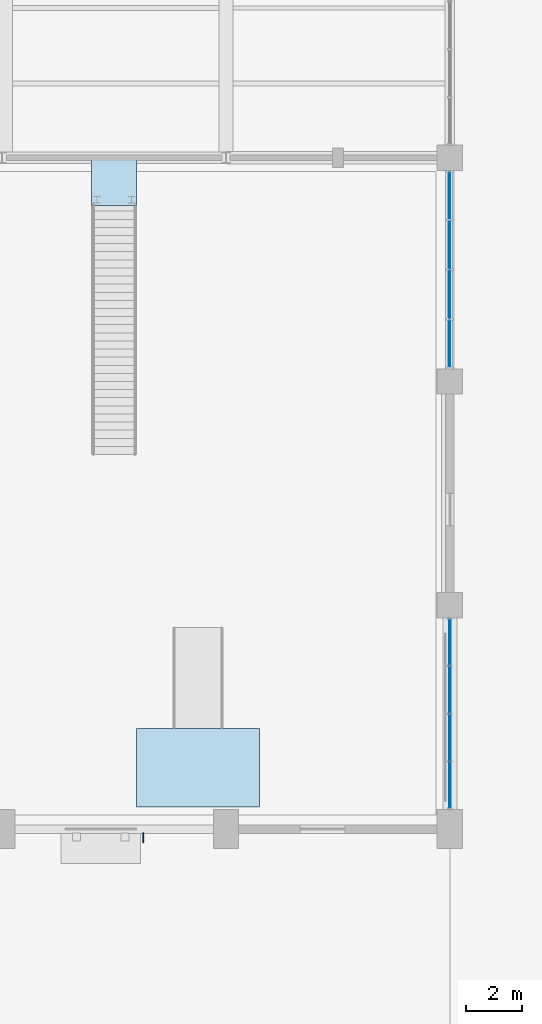
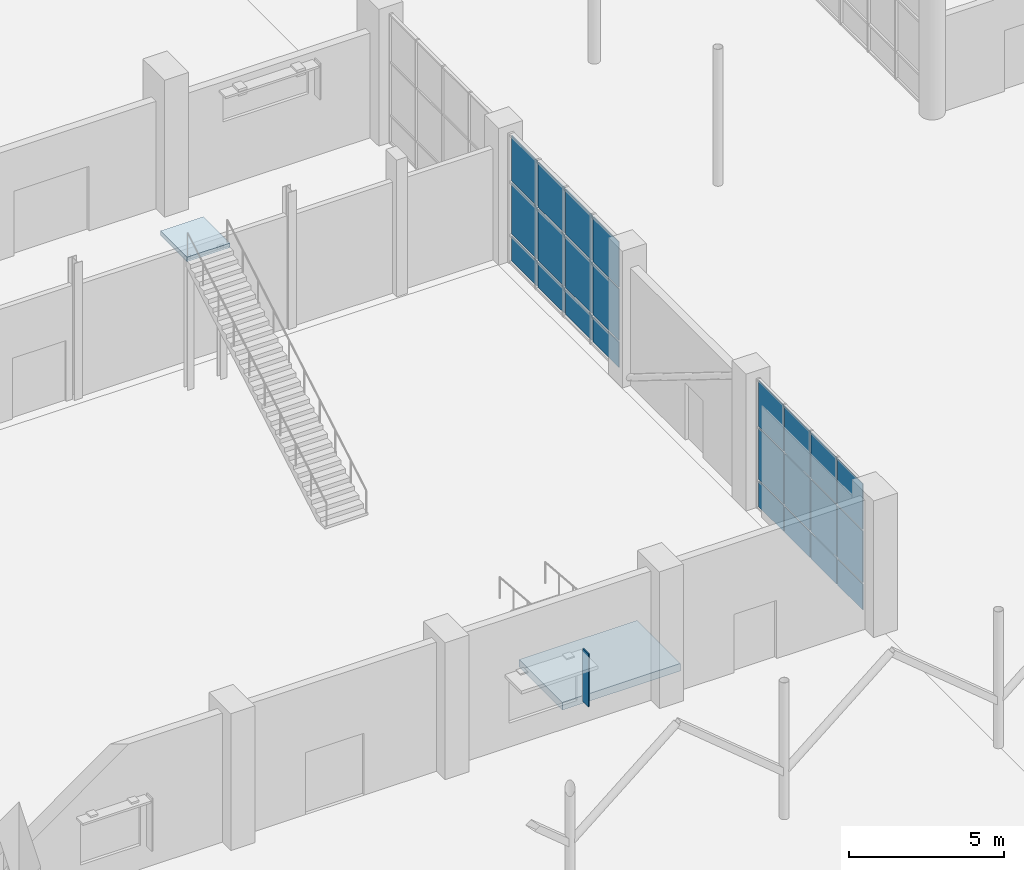
# One storey, part 67 of 123: 25 plates, 2 slabs, 3 elements without a shape of their own.
"""IFC4 building model written with IfcOpenShell, lengths in metres."""

from ifc_helpers import new_model, si_unit, direction, frame, origin, origin_2d, place, context, subcontext, project, spatial, polyline, rectangle, outline, extrude, material, layer, layer_set, type_object, element, aggregate, save


model = new_model("IFC4")

# Units and contexts
model_context = context("Model", 3, precision=1e-05, world=origin(), true_north=direction((0.0, 1.0)))
body_context = subcontext(model_context, "Body", "Model", "MODEL_VIEW")
ifc_project = project(units=[si_unit("LENGTHUNIT", "METRE"), si_unit("AREAUNIT", "SQUARE_METRE"), si_unit("VOLUMEUNIT", "CUBIC_METRE"), si_unit("PLANEANGLEUNIT", "RADIAN"), si_unit("MASSUNIT", "GRAM", prefix="KILO")], contexts=[model_context])

# Site, building, storey
site_placement = place(None, origin())
site = spatial("IfcSite", under=ifc_project, at=site_placement, CompositionType="ELEMENT")
building_placement = place(site_placement, origin())
building = spatial("IfcBuilding", under=site, at=building_placement, Name="Tenunan Teduh Sports Hall", CompositionType="ELEMENT")
storey_placement = place(building_placement, origin())
storey = spatial("IfcBuildingStorey", under=building, at=storey_placement, Name="L00", CompositionType="ELEMENT", Elevation=0.0)

# Curtain wall, plates
ifc_material_1 = material(Name="Anodised aluminium", Category="aluminium")
curtain_wall_type = type_object("IfcCurtainWallType", Name="CW-UNIT-2", PredefinedType="NOTDEFINED", material=ifc_material_1)
curtain_wall_1_placement = place(storey_placement, origin())
curtain_wall_1 = element("IfcCurtainWall", 1, at=curtain_wall_1_placement, inside=storey, type_object=curtain_wall_type, Name="CW-CWM-150-L00-035", PredefinedType="NOTDEFINED")
ifc_material_2 = material(Name="Solar-control laminated glazing", Category="glass")
ifc_layer_1 = layer(ifc_material_2, 0.031982421875)
ifc_layer_set_1 = layer_set([ifc_layer_1], Name="Solar-control laminated glazing")
plate_type_1 = type_object("IfcPlateType", Name="CWP-GLZ-32", PredefinedType="CURTAIN_PANEL", material=ifc_layer_set_1)
plate_1_placement = place(storey_placement, frame((54.0, 15.5712890625, 1.1298828125), z_axis=(0.0, 0.0, 1.0), x_axis=(0.0, 1.0, 0.0)))
plate_1 = element("IfcPlate", 2, at=plate_1_placement, type_object=plate_type_1, Name="CW-02 panel 1.2", PredefinedType="CURTAIN_PANEL", context=body_context, shape_type="SweptSolid", body=[
    extrude(rectangle(XDim=1.62255859375, YDim=0.031982421875, at=origin_2d()), origin(), (0.0, 0.0, 1.0), 2.0400390625),
])
plate_2_placement = place(storey_placement, frame((54.0, 15.5712890625, 3.22998046875), z_axis=(0.0, 0.0, 1.0), x_axis=(0.0, 1.0, 0.0)))
plate_2 = element("IfcPlate", 3, at=plate_2_placement, type_object=plate_type_1, Name="CW-02 panel 1.3", PredefinedType="CURTAIN_PANEL", context=body_context, shape_type="SweptSolid", body=[
    extrude(rectangle(XDim=1.62255859375, YDim=0.031982421875, at=origin_2d()), origin(), (0.0, 0.0, 1.0), 1.81005859375),
])
plate_3_placement = place(storey_placement, frame((54.0, 17.268798828125, 1.1298828125), z_axis=(0.0, 0.0, 1.0), x_axis=(0.0, 1.0, 0.0)))
plate_3 = element("IfcPlate", 4, at=plate_3_placement, type_object=plate_type_1, Name="CW-02 panel 2.2", PredefinedType="CURTAIN_PANEL", context=body_context, shape_type="SweptSolid", body=[
    extrude(rectangle(XDim=1.652587890625, YDim=0.031982421875, at=origin_2d()), origin(), (0.0, 0.0, 1.0), 2.0400390625),
])
plate_4_placement = place(storey_placement, frame((54.0, 17.268798828125, 3.22998046875), z_axis=(0.0, 0.0, 1.0), x_axis=(0.0, 1.0, 0.0)))
plate_4 = element("IfcPlate", 5, at=plate_4_placement, type_object=plate_type_1, Name="CW-02 panel 2.3", PredefinedType="CURTAIN_PANEL", context=body_context, shape_type="SweptSolid", body=[
    extrude(rectangle(XDim=1.652587890625, YDim=0.031982421875, at=origin_2d()), origin(), (0.0, 0.0, 1.0), 1.81005859375),
])
plate_5_placement = place(storey_placement, frame((54.0, 18.981201171875, 1.1298828125), z_axis=(0.0, 0.0, 1.0), x_axis=(0.0, 1.0, 0.0)))
plate_5 = element("IfcPlate", 6, at=plate_5_placement, type_object=plate_type_1, Name="CW-02 panel 3.2", PredefinedType="CURTAIN_PANEL", context=body_context, shape_type="SweptSolid", body=[
    extrude(rectangle(XDim=1.652587890625, YDim=0.031982421875, at=origin_2d()), origin(), (0.0, 0.0, 1.0), 2.0400390625),
])
plate_6_placement = place(storey_placement, frame((54.0, 18.981201171875, 3.22998046875), z_axis=(0.0, 0.0, 1.0), x_axis=(0.0, 1.0, 0.0)))
plate_6 = element("IfcPlate", 7, at=plate_6_placement, type_object=plate_type_1, Name="CW-02 panel 3.3", PredefinedType="CURTAIN_PANEL", context=body_context, shape_type="SweptSolid", body=[
    extrude(rectangle(XDim=1.652587890625, YDim=0.031982421875, at=origin_2d()), origin(), (0.0, 0.0, 1.0), 1.81005859375),
])
plate_7_placement = place(storey_placement, frame((54.0, 20.6787109375, 1.1298828125), z_axis=(0.0, 0.0, 1.0), x_axis=(0.0, 1.0, 0.0)))
plate_7 = element("IfcPlate", 8, at=plate_7_placement, type_object=plate_type_1, Name="CW-02 panel 4.2", PredefinedType="CURTAIN_PANEL", context=body_context, shape_type="SweptSolid", body=[
    extrude(rectangle(XDim=1.62255859375, YDim=0.031982421875, at=origin_2d()), origin(), (0.0, 0.0, 1.0), 2.0400390625),
])
plate_8_placement = place(storey_placement, frame((54.0, 20.6787109375, 3.22998046875), z_axis=(0.0, 0.0, 1.0), x_axis=(0.0, 1.0, 0.0)))
plate_8 = element("IfcPlate", 9, at=plate_8_placement, type_object=plate_type_1, Name="CW-02 panel 4.3", PredefinedType="CURTAIN_PANEL", context=body_context, shape_type="SweptSolid", body=[
    extrude(rectangle(XDim=1.62255859375, YDim=0.031982421875, at=origin_2d()), origin(), (0.0, 0.0, 1.0), 1.81005859375),
])

curtain_wall_2_placement = place(storey_placement, origin())
curtain_wall_2 = element("IfcCurtainWall", 10, at=curtain_wall_2_placement, inside=storey, type_object=curtain_wall_type, Name="CW-CWM-220-L00-037", PredefinedType="NOTDEFINED")
plate_9_placement = place(storey_placement, frame((54.0, 31.356201171875, 1.137451171875), z_axis=(0.0, 0.0, 1.0), x_axis=(0.0, 1.0, 0.0)))
plate_9 = element("IfcPlate", 11, at=plate_9_placement, type_object=plate_type_1, Name="CW-02 panel 1.2", PredefinedType="CURTAIN_PANEL", context=body_context, shape_type="SweptSolid", body=[
    extrude(rectangle(XDim=1.66259765625, YDim=0.031982421875, at=origin_2d()), origin(), (0.0, 0.0, 1.0), 2.02490234375),
])
plate_10_placement = place(storey_placement, frame((54.0, 31.356201171875, 3.237548828125), z_axis=(0.0, 0.0, 1.0), x_axis=(0.0, 1.0, 0.0)))
plate_10 = element("IfcPlate", 12, at=plate_10_placement, type_object=plate_type_1, Name="CW-02 panel 1.3", PredefinedType="CURTAIN_PANEL", context=body_context, shape_type="SweptSolid", body=[
    extrude(rectangle(XDim=1.66259765625, YDim=0.031982421875, at=origin_2d()), origin(), (0.0, 0.0, 1.0), 1.78759765625),
])
plate_11_placement = place(storey_placement, frame((54.0, 33.112548828125, 1.137451171875), z_axis=(0.0, 0.0, 1.0), x_axis=(0.0, 1.0, 0.0)))
plate_11 = element("IfcPlate", 13, at=plate_11_placement, type_object=plate_type_1, Name="CW-02 panel 2.2", PredefinedType="CURTAIN_PANEL", context=body_context, shape_type="SweptSolid", body=[
    extrude(rectangle(XDim=1.699951171875, YDim=0.031982421875, at=origin_2d()), origin(), (0.0, 0.0, 1.0), 2.02490234375),
])
plate_12_placement = place(storey_placement, frame((54.0, 33.112548828125, 3.237548828125), z_axis=(0.0, 0.0, 1.0), x_axis=(0.0, 1.0, 0.0)))
plate_12 = element("IfcPlate", 14, at=plate_12_placement, type_object=plate_type_1, Name="CW-02 panel 2.3", PredefinedType="CURTAIN_PANEL", context=body_context, shape_type="SweptSolid", body=[
    extrude(rectangle(XDim=1.699951171875, YDim=0.031982421875, at=origin_2d()), origin(), (0.0, 0.0, 1.0), 1.78759765625),
])
plate_13_placement = place(storey_placement, frame((54.0, 34.887451171875, 1.137451171875), z_axis=(0.0, 0.0, 1.0), x_axis=(0.0, 1.0, 0.0)))
plate_13 = element("IfcPlate", 15, at=plate_13_placement, type_object=plate_type_1, Name="CW-02 panel 3.2", PredefinedType="CURTAIN_PANEL", context=body_context, shape_type="SweptSolid", body=[
    extrude(rectangle(XDim=1.699951171875, YDim=0.031982421875, at=origin_2d()), origin(), (0.0, 0.0, 1.0), 2.02490234375),
])
plate_14_placement = place(storey_placement, frame((54.0, 34.887451171875, 3.237548828125), z_axis=(0.0, 0.0, 1.0), x_axis=(0.0, 1.0, 0.0)))
plate_14 = element("IfcPlate", 16, at=plate_14_placement, type_object=plate_type_1, Name="CW-02 panel 3.3", PredefinedType="CURTAIN_PANEL", context=body_context, shape_type="SweptSolid", body=[
    extrude(rectangle(XDim=1.699951171875, YDim=0.031982421875, at=origin_2d()), origin(), (0.0, 0.0, 1.0), 1.78759765625),
])
plate_15_placement = place(storey_placement, frame((54.0, 36.643798828125, 1.137451171875), z_axis=(0.0, 0.0, 1.0), x_axis=(0.0, 1.0, 0.0)))
plate_15 = element("IfcPlate", 17, at=plate_15_placement, type_object=plate_type_1, Name="CW-02 panel 4.2", PredefinedType="CURTAIN_PANEL", context=body_context, shape_type="SweptSolid", body=[
    extrude(rectangle(XDim=1.66259765625, YDim=0.031982421875, at=origin_2d()), origin(), (0.0, 0.0, 1.0), 2.02490234375),
])
plate_16_placement = place(storey_placement, frame((54.0, 36.643798828125, 3.237548828125), z_axis=(0.0, 0.0, 1.0), x_axis=(0.0, 1.0, 0.0)))
plate_16 = element("IfcPlate", 18, at=plate_16_placement, type_object=plate_type_1, Name="CW-02 panel 4.3", PredefinedType="CURTAIN_PANEL", context=body_context, shape_type="SweptSolid", body=[
    extrude(rectangle(XDim=1.66259765625, YDim=0.031982421875, at=origin_2d()), origin(), (0.0, 0.0, 1.0), 1.78759765625),
])

# Plate
ifc_material_3 = material(Name="Insulated aluminium spandrel panel", Category="aluminium")
ifc_layer_2 = layer(ifc_material_3, 0.044921875)
ifc_layer_set_2 = layer_set([ifc_layer_2], Name="Insulated aluminium spandrel panel")
plate_type_2 = type_object("IfcPlateType", Name="CWP-SPN-45", PredefinedType="CURTAIN_PANEL", material=ifc_layer_set_2)
plate_17_placement = place(storey_placement, frame((54.0, 15.5712890625, 0.06005859375), z_axis=(0.0, 0.0, 1.0), x_axis=(0.0, 1.0, 0.0)))
plate_17 = element("IfcPlate", 19, at=plate_17_placement, type_object=plate_type_2, Name="CW-02 panel 1.1", PredefinedType="CURTAIN_PANEL", context=body_context, shape_type="SweptSolid", body=[
    extrude(rectangle(XDim=1.62255859375, YDim=0.031982421875, at=origin_2d()), origin(), (0.0, 0.0, 1.0), 1.010009765625),
])

plate_18_placement = place(storey_placement, frame((54.0, 17.268798828125, 0.06005859375), z_axis=(0.0, 0.0, 1.0), x_axis=(0.0, 1.0, 0.0)))
plate_18 = element("IfcPlate", 20, at=plate_18_placement, type_object=plate_type_2, Name="CW-02 panel 2.1", PredefinedType="CURTAIN_PANEL", context=body_context, shape_type="SweptSolid", body=[
    extrude(rectangle(XDim=1.652587890625, YDim=0.031982421875, at=origin_2d()), origin(), (0.0, 0.0, 1.0), 1.010009765625),
])

plate_19_placement = place(storey_placement, frame((54.0, 18.981201171875, 0.06005859375), z_axis=(0.0, 0.0, 1.0), x_axis=(0.0, 1.0, 0.0)))
plate_19 = element("IfcPlate", 21, at=plate_19_placement, type_object=plate_type_2, Name="CW-02 panel 3.1", PredefinedType="CURTAIN_PANEL", context=body_context, shape_type="SweptSolid", body=[
    extrude(rectangle(XDim=1.652587890625, YDim=0.031982421875, at=origin_2d()), origin(), (0.0, 0.0, 1.0), 1.010009765625),
])

plate_20_placement = place(storey_placement, frame((54.0, 20.6787109375, 0.06005859375), z_axis=(0.0, 0.0, 1.0), x_axis=(0.0, 1.0, 0.0)))
plate_20 = element("IfcPlate", 22, at=plate_20_placement, type_object=plate_type_2, Name="CW-02 panel 4.1", PredefinedType="CURTAIN_PANEL", context=body_context, shape_type="SweptSolid", body=[
    extrude(rectangle(XDim=1.62255859375, YDim=0.031982421875, at=origin_2d()), origin(), (0.0, 0.0, 1.0), 1.010009765625),
])

aggregate(curtain_wall_1, [plate_17, plate_1, plate_2, plate_18, plate_3, plate_4, plate_19, plate_5, plate_6, plate_20, plate_7, plate_8])

plate_21_placement = place(storey_placement, frame((54.0, 31.356201171875, 0.0751953125), z_axis=(0.0, 0.0, 1.0), x_axis=(0.0, 1.0, 0.0)))
plate_21 = element("IfcPlate", 23, at=plate_21_placement, type_object=plate_type_2, Name="CW-02 panel 1.1", PredefinedType="CURTAIN_PANEL", context=body_context, shape_type="SweptSolid", body=[
    extrude(rectangle(XDim=1.66259765625, YDim=0.031982421875, at=origin_2d()), origin(), (0.0, 0.0, 1.0), 0.987548828125),
])

plate_22_placement = place(storey_placement, frame((54.0, 33.112548828125, 0.0751953125), z_axis=(0.0, 0.0, 1.0), x_axis=(0.0, 1.0, 0.0)))
plate_22 = element("IfcPlate", 24, at=plate_22_placement, type_object=plate_type_2, Name="CW-02 panel 2.1", PredefinedType="CURTAIN_PANEL", context=body_context, shape_type="SweptSolid", body=[
    extrude(rectangle(XDim=1.699951171875, YDim=0.031982421875, at=origin_2d()), origin(), (0.0, 0.0, 1.0), 0.987548828125),
])

plate_23_placement = place(storey_placement, frame((54.0, 34.887451171875, 0.0751953125), z_axis=(0.0, 0.0, 1.0), x_axis=(0.0, 1.0, 0.0)))
plate_23 = element("IfcPlate", 25, at=plate_23_placement, type_object=plate_type_2, Name="CW-02 panel 3.1", PredefinedType="CURTAIN_PANEL", context=body_context, shape_type="SweptSolid", body=[
    extrude(rectangle(XDim=1.699951171875, YDim=0.031982421875, at=origin_2d()), origin(), (0.0, 0.0, 1.0), 0.987548828125),
])

plate_24_placement = place(storey_placement, frame((54.0, 36.643798828125, 0.0751953125), z_axis=(0.0, 0.0, 1.0), x_axis=(0.0, 1.0, 0.0)))
plate_24 = element("IfcPlate", 26, at=plate_24_placement, type_object=plate_type_2, Name="CW-02 panel 4.1", PredefinedType="CURTAIN_PANEL", context=body_context, shape_type="SweptSolid", body=[
    extrude(rectangle(XDim=1.66259765625, YDim=0.031982421875, at=origin_2d()), origin(), (0.0, 0.0, 1.0), 0.987548828125),
])

aggregate(curtain_wall_2, [plate_21, plate_9, plate_10, plate_22, plate_11, plate_12, plate_23, plate_13, plate_14, plate_24, plate_15, plate_16])

ifc_material_4 = material(Name="Anodised aluminium", Category="aluminium")
ifc_layer_3 = layer(ifc_material_4, 1.89990234375)
ifc_layer_set_3 = layer_set([ifc_layer_3], Name="Anodised aluminium")
plate_type_3 = type_object("IfcPlateType", Name="PLT-FIN-1", PredefinedType="SHEET", material=ifc_layer_set_3)
plate_25_placement = place(storey_placement, frame((43.0400390625, 13.68994140625, 0.830078125), z_axis=(0.0, 0.0, 1.0), x_axis=(1.0, 0.0, 0.0)))
element("IfcPlate", 27, at=plate_25_placement, inside=storey, type_object=plate_type_3, Name="PLT-FIN-L00-008", PredefinedType="SHEET", context=body_context, shape_type="SweptSolid", body=[
    extrude(rectangle(XDim=0.0400390625, YDim=0.360107421875, at=origin_2d()), origin(), (0.0, 0.0, 1.0), 2.090087890625),
])

# Slab
ifc_material_5 = material(Name="Concrete C40/50", Category="concrete")
ifc_layer_4 = layer(ifc_material_5, 0.199951171875)
ifc_layer_set_4 = layer_set([ifc_layer_4], Name="Concrete C40/50")
slab_type_1 = type_object("IfcSlabType", Name="SLB-FLR-200", PredefinedType="FLOOR", material=ifc_layer_set_4)
slab_1_placement = place(storey_placement, origin())
element("IfcSlab", 28, at=slab_1_placement, inside=storey, type_object=slab_type_1, Name="SL-L00-WHC-2", PredefinedType="FLOOR", context=body_context, shape_type="SweptSolid", body=[
    extrude(outline(polyline([(42.800048828125, 14.800048828125), (47.199951171875, 14.800048828125), (47.199951171875, 17.60009765625), (42.800048828125, 17.60009765625), (42.800048828125, 14.800048828125)])), origin(), (0.0, 0.0, 1.0), 0.300048828125),
])

# Stair, slab
ifc_material_6 = material(Name="Precast concrete C40/50", Category="concrete")
stair_type = type_object("IfcStairType", Name="STR-VOM-W", PredefinedType="STRAIGHT_RUN_STAIR", material=ifc_material_6)
stair_placement = place(storey_placement, origin())
stair = element("IfcStair", 29, at=stair_placement, inside=storey, type_object=stair_type, Name="STR-VOM-V2B", PredefinedType="STRAIGHT_RUN_STAIR")
ifc_material_7 = material(Name="Precast concrete C40/50", Category="concrete")
ifc_layer_5 = layer(ifc_material_7, 0.179931640625)
ifc_layer_set_5 = layer_set([ifc_layer_5], Name="Precast concrete C40/50")
slab_type_2 = type_object("IfcSlabType", Name="SLB-LND-180", PredefinedType="LANDING", material=ifc_layer_set_5)
slab_2_placement = place(storey_placement, frame((0.0, 0.0, 5.219970703125)))
slab_2 = element("IfcSlab", 30, at=slab_2_placement, type_object=slab_type_2, Name="ST-28 landing 1", PredefinedType="LANDING", context=body_context, shape_type="SweptSolid", body=[
    extrude(outline(polyline([(41.199951171875, 36.300048828125), (42.800048828125, 36.300048828125), (42.800048828125, 38.02001953125), (41.199951171875, 38.02001953125), (41.199951171875, 36.300048828125)])), origin(), (0.0, 0.0, 1.0), 0.179931640625),
])
aggregate(stair, [slab_2])

save(model, "model.ifc")
